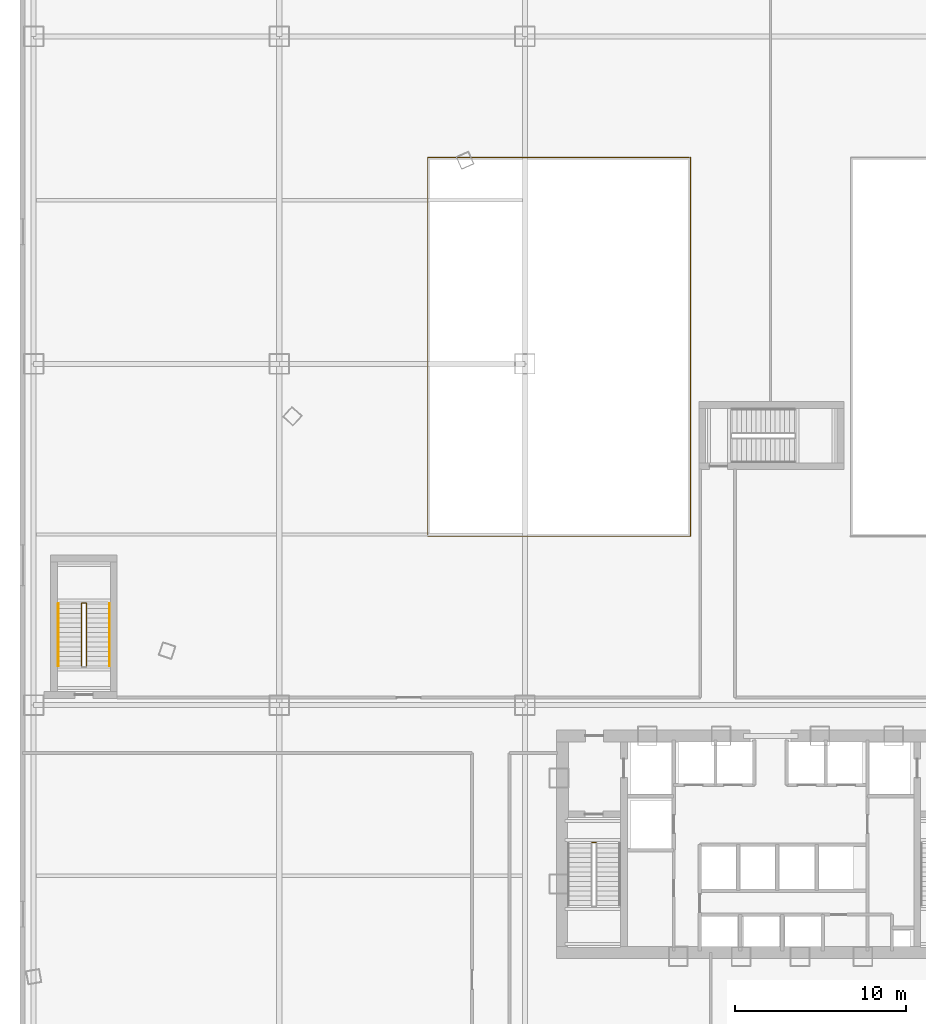
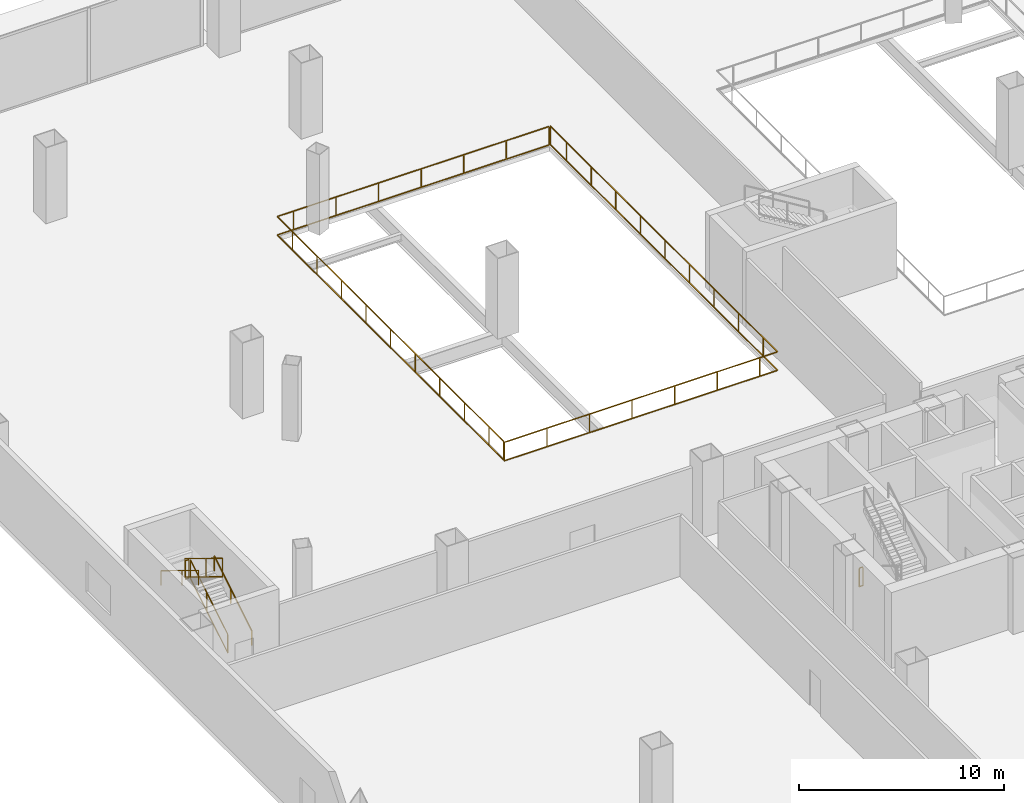
# One storey, part 39 of 42: 8 railings.
"""IFC4 building model written with IfcOpenShell, lengths in metres."""

from ifc_helpers import new_model, si_unit, direction, frame, origin, origin_2d, place, context, subcontext, project, spatial, rectangle, extrude, material, type_object, element, save


model = new_model("IFC4")

# Units and contexts
model_context = context("Model", 3, precision=1e-05, world=origin(), true_north=direction((0.0, 1.0)))
body_context = subcontext(model_context, "Body", "Model", "MODEL_VIEW")
ifc_project = project(units=[si_unit("LENGTHUNIT", "METRE"), si_unit("AREAUNIT", "SQUARE_METRE"), si_unit("VOLUMEUNIT", "CUBIC_METRE"), si_unit("PLANEANGLEUNIT", "RADIAN"), si_unit("MASSUNIT", "GRAM", prefix="KILO"), si_unit("THERMODYNAMICTEMPERATUREUNIT", "KELVIN"), si_unit("POWERUNIT", "WATT")], contexts=[model_context])

# Site, building, storey
site_placement = place(None, origin())
site = spatial("IfcSite", under=ifc_project, at=site_placement, CompositionType="ELEMENT")
building_placement = place(site_placement, origin())
building = spatial("IfcBuilding", under=site, at=building_placement, Name="Yunzhuo Pagoda Commons", CompositionType="ELEMENT")
storey_placement = place(building_placement, frame((0.0, 0.0, 4.800048828125)))
storey = spatial("IfcBuildingStorey", under=building, at=storey_placement, Name="L02", CompositionType="ELEMENT", Elevation=4.800048828125)

# Railings
ifc_material = material(Name="Anodized aluminium 6063-T6", Category="aluminium")
railing_type_1 = type_object("IfcRailingType", Name="GR-PS3 Podium Well Guardrail 1150", PredefinedType="GUARDRAIL", material=ifc_material)
railing_1_placement = place(storey_placement, frame((7.89990234375, 44.300048828125, 0.17138671875)))
element("IfcRailing", 1, at=railing_1_placement, inside=storey, type_object=railing_type_1, Name="L02 PS3 stair guard 1", PredefinedType="GUARDRAIL", context=body_context, shape_type="SweptSolid", body=[
    extrude(rectangle(XDim=0.048095703125, YDim=0.048095703125, at=origin_2d()), frame((0.0, 0.0, 1.1259765625), z_axis=(0.0, 0.852850264322, 0.5221555579), x_axis=(-1.0, 0.0, 0.0)), (0.0, 0.0, 1.0), 4.267822265625),
    extrude(rectangle(XDim=0.048095703125, YDim=0.048095703125, at=origin_2d()), frame((0.0, 0.0, 0.02392578125), z_axis=(0.0, 0.852850264322, 0.5221555579), x_axis=(-1.0, 0.0, 0.0)), (0.0, 0.0, 1.0), 4.267822265625),
    extrude(rectangle(XDim=0.0419921875, YDim=0.0419921875, at=origin_2d()), origin(), (0.0, 0.0, 1.0), 1.101806640625),
    extrude(rectangle(XDim=0.0419921875, YDim=0.0419921875, at=origin_2d()), frame((0.0, 2.046875, 1.253173828125)), (0.0, 0.0, 1.0), 1.101806640625),
    extrude(rectangle(XDim=0.0419921875, YDim=0.0419921875, at=origin_2d()), frame((0.0, 3.639892578125, 2.228515625)), (0.0, 0.0, 1.0), 1.101806640625),
])
railing_2_placement = place(storey_placement, frame((7.85009765625, 47.989990234375, 2.39990234375)))
element("IfcRailing", 2, at=railing_2_placement, inside=storey, type_object=railing_type_1, Name="L02 PS3 stair guard 2", PredefinedType="GUARDRAIL", context=body_context, shape_type="SweptSolid", body=[
    extrude(rectangle(XDim=0.048095703125, YDim=0.048095703125, at=origin_2d()), frame((0.0, 0.0, 1.1259765625), z_axis=(-1.0, 0.0, 0.0), x_axis=(0.0, -1.0, 0.0)), (0.0, 0.0, 1.0), 0.2001953125),
    extrude(rectangle(XDim=0.048095703125, YDim=0.048095703125, at=origin_2d()), frame((0.0, 0.0, 0.02392578125), z_axis=(-1.0, 0.0, 0.0), x_axis=(0.0, -1.0, 0.0)), (0.0, 0.0, 1.0), 0.2001953125),
    extrude(rectangle(XDim=0.0419921875, YDim=0.0419921875, at=origin_2d()), origin(), (0.0, 0.0, 1.0), 1.101806640625),
    extrude(rectangle(XDim=0.0419921875, YDim=0.0419921875, at=origin_2d()), frame((-0.2001953125, 0.0, 0.0)), (0.0, 0.0, 1.0), 1.101806640625),
])
railing_3_placement = place(storey_placement, frame((7.60009765625, 47.93994140625, 2.5712890625)))
element("IfcRailing", 3, at=railing_3_placement, inside=storey, type_object=railing_type_1, Name="L02 PS3 stair guard 3", PredefinedType="GUARDRAIL", context=body_context, shape_type="SweptSolid", body=[
    extrude(rectangle(XDim=0.048095703125, YDim=0.048095703125, at=origin_2d()), frame((0.0, 0.0, 1.1259765625), z_axis=(0.0, -0.852824790078, 0.522197163366), x_axis=(1.0, 0.0, 0.0)), (0.0, 0.0, 1.0), 4.26806640625),
    extrude(rectangle(XDim=0.048095703125, YDim=0.048095703125, at=origin_2d()), frame((0.0, 0.0, 0.02392578125), z_axis=(0.0, -0.852824790078, 0.522197163366), x_axis=(1.0, 0.0, 0.0)), (0.0, 0.0, 1.0), 4.26806640625),
    extrude(rectangle(XDim=0.0419921875, YDim=0.0419921875, at=origin_2d()), origin(), (0.0, 0.0, 1.0), 1.101806640625),
    extrude(rectangle(XDim=0.0419921875, YDim=0.0419921875, at=origin_2d()), frame((0.0, -2.046875, 1.253173828125)), (0.0, 0.0, 1.0), 1.101806640625),
    extrude(rectangle(XDim=0.0419921875, YDim=0.0419921875, at=origin_2d()), frame((0.0, -3.639892578125, 2.228759765625)), (0.0, 0.0, 1.0), 1.101806640625),
])
railing_type_2 = type_object("IfcRailingType", Name="GR-ST1 Stair Well Guardrail 1150", PredefinedType="GUARDRAIL", material=ifc_material)
railing_4_placement = place(storey_placement, frame((37.550048828125, 33.949951171875, 0.0)))
element("IfcRailing", 4, at=railing_4_placement, inside=storey, type_object=railing_type_2, Name="L02 ST1 stair guard 4", PredefinedType="GUARDRAIL", context=body_context, shape_type="SweptSolid", body=[
    extrude(rectangle(XDim=0.048095703125, YDim=0.048095703125, at=origin_2d()), frame((0.0, 0.0, 1.1259765625), z_axis=(1.0, 0.0, 0.0), x_axis=(0.0, 1.0, 0.0)), (0.0, 0.0, 1.0), 0.199951171875),
    extrude(rectangle(XDim=0.048095703125, YDim=0.048095703125, at=origin_2d()), frame((0.0, 0.0, 0.02392578125), z_axis=(1.0, 0.0, 0.0), x_axis=(0.0, 1.0, 0.0)), (0.0, 0.0, 1.0), 0.199951171875),
    extrude(rectangle(XDim=0.0419921875, YDim=0.0419921875, at=origin_2d()), origin(), (0.0, 0.0, 1.0), 1.101806640625),
    extrude(rectangle(XDim=0.0419921875, YDim=0.0419921875, at=origin_2d()), frame((0.199951171875, 0.0, 0.0)), (0.0, 0.0, 1.0), 1.101806640625),
])
railing_type_3 = type_object("IfcRailingType", Name="HR-PS3 Podium Stair Handrail 900", PredefinedType="HANDRAIL", material=ifc_material)
railing_5_placement = place(storey_placement, frame((9.25, 44.300048828125, 0.17138671875)))
element("IfcRailing", 5, at=railing_5_placement, inside=storey, type_object=railing_type_3, Name="L02 PS3 stair handrail 1", PredefinedType="HANDRAIL", context=body_context, shape_type="SweptSolid", body=[
    extrude(rectangle(XDim=0.048095703125, YDim=0.048095703125, at=origin_2d()), frame((0.0, 0.0, 0.8759765625), z_axis=(0.0, 0.852850264322, 0.5221555579), x_axis=(-1.0, 0.0, 0.0)), (0.0, 0.0, 1.0), 4.267822265625),
    extrude(rectangle(XDim=0.0419921875, YDim=0.0419921875, at=origin_2d()), origin(), (0.0, 0.0, 1.0), 0.851806640625),
    extrude(rectangle(XDim=0.0419921875, YDim=0.0419921875, at=origin_2d()), frame((0.0, 2.046875, 1.253173828125)), (0.0, 0.0, 1.0), 0.851806640625),
    extrude(rectangle(XDim=0.0419921875, YDim=0.0419921875, at=origin_2d()), frame((0.0, 3.639892578125, 2.228515625)), (0.0, 0.0, 1.0), 0.851806640625),
])
railing_6_placement = place(storey_placement, frame((6.25, 47.93994140625, 2.5712890625)))
element("IfcRailing", 6, at=railing_6_placement, inside=storey, type_object=railing_type_3, Name="L02 PS3 stair handrail 2", PredefinedType="HANDRAIL", context=body_context, shape_type="SweptSolid", body=[
    extrude(rectangle(XDim=0.048095703125, YDim=0.048095703125, at=origin_2d()), frame((0.0, 0.0, 0.8759765625), z_axis=(0.0, -0.852824790078, 0.522197163366), x_axis=(1.0, 0.0, 0.0)), (0.0, 0.0, 1.0), 4.26806640625),
    extrude(rectangle(XDim=0.0419921875, YDim=0.0419921875, at=origin_2d()), origin(), (0.0, 0.0, 1.0), 0.851806640625),
    extrude(rectangle(XDim=0.0419921875, YDim=0.0419921875, at=origin_2d()), frame((0.0, -2.046875, 1.253173828125)), (0.0, 0.0, 1.0), 0.851806640625),
    extrude(rectangle(XDim=0.0419921875, YDim=0.0419921875, at=origin_2d()), frame((0.0, -3.639892578125, 2.228759765625)), (0.0, 0.0, 1.0), 0.851806640625),
])
railing_type_4 = type_object("IfcRailingType", Name="RL-ATR1 Interior Atrium Gallery Balustrade 1150", PredefinedType="BALUSTRADE", material=ifc_material)
railing_7_placement = place(storey_placement, frame((27.89990234375, 51.89990234375, 0.0)))
element("IfcRailing", 7, at=railing_7_placement, inside=storey, type_object=railing_type_4, Name="L02 concourse atrium balustrade WA", PredefinedType="BALUSTRADE", context=body_context, shape_type="SweptSolid", body=[
    extrude(rectangle(XDim=0.048095703125, YDim=0.048095703125, at=origin_2d()), frame((0.0, 0.0, 1.1259765625), z_axis=(1.0, 0.0, 0.0), x_axis=(0.0, 1.0, 0.0)), (0.0, 0.0, 1.0), 15.400146484375),
    extrude(rectangle(XDim=0.048095703125, YDim=0.048095703125, at=origin_2d()), frame((0.0, 0.0, 0.02392578125), z_axis=(1.0, 0.0, 0.0), x_axis=(0.0, 1.0, 0.0)), (0.0, 0.0, 1.0), 15.400146484375),
    extrude(rectangle(XDim=0.048095703125, YDim=0.048095703125, at=origin_2d()), frame((15.400146484375, 0.0, 1.1259765625), z_axis=(0.0, 1.0, 0.0), x_axis=(-1.0, 0.0, 0.0)), (0.0, 0.0, 1.0), 22.2001953125),
    extrude(rectangle(XDim=0.048095703125, YDim=0.048095703125, at=origin_2d()), frame((15.400146484375, 0.0, 0.02392578125), z_axis=(0.0, 1.0, 0.0), x_axis=(-1.0, 0.0, 0.0)), (0.0, 0.0, 1.0), 22.2001953125),
    extrude(rectangle(XDim=0.0419921875, YDim=0.0419921875, at=origin_2d()), origin(), (0.0, 0.0, 1.0), 1.101806640625),
    extrude(rectangle(XDim=0.0419921875, YDim=0.0419921875, at=origin_2d()), frame((2.39990234375, 0.0, 0.0)), (0.0, 0.0, 1.0), 1.101806640625),
    extrude(rectangle(XDim=0.0419921875, YDim=0.0419921875, at=origin_2d()), frame((4.800048828125, 0.0, 0.0)), (0.0, 0.0, 1.0), 1.101806640625),
    extrude(rectangle(XDim=0.0419921875, YDim=0.0419921875, at=origin_2d()), frame((7.199951171875, 0.0, 0.0)), (0.0, 0.0, 1.0), 1.101806640625),
    extrude(rectangle(XDim=0.0419921875, YDim=0.0419921875, at=origin_2d()), frame((9.60009765625, 0.0, 0.0)), (0.0, 0.0, 1.0), 1.101806640625),
    extrude(rectangle(XDim=0.0419921875, YDim=0.0419921875, at=origin_2d()), frame((12.0, 0.0, 0.0)), (0.0, 0.0, 1.0), 1.101806640625),
    extrude(rectangle(XDim=0.0419921875, YDim=0.0419921875, at=origin_2d()), frame((14.39990234375, 0.0, 0.0)), (0.0, 0.0, 1.0), 1.101806640625),
    extrude(rectangle(XDim=0.0419921875, YDim=0.0419921875, at=origin_2d()), frame((15.400146484375, 1.39990234375, 0.0)), (0.0, 0.0, 1.0), 1.101806640625),
    extrude(rectangle(XDim=0.0419921875, YDim=0.0419921875, at=origin_2d()), frame((15.400146484375, 3.7998046875, 0.0)), (0.0, 0.0, 1.0), 1.101806640625),
    extrude(rectangle(XDim=0.0419921875, YDim=0.0419921875, at=origin_2d()), frame((15.400146484375, 6.199951171875, 0.0)), (0.0, 0.0, 1.0), 1.101806640625),
    extrude(rectangle(XDim=0.0419921875, YDim=0.0419921875, at=origin_2d()), frame((15.400146484375, 8.599853515625, 0.0)), (0.0, 0.0, 1.0), 1.101806640625),
    extrude(rectangle(XDim=0.0419921875, YDim=0.0419921875, at=origin_2d()), frame((15.400146484375, 10.999755859375, 0.0)), (0.0, 0.0, 1.0), 1.101806640625),
    extrude(rectangle(XDim=0.0419921875, YDim=0.0419921875, at=origin_2d()), frame((15.400146484375, 13.39990234375, 0.0)), (0.0, 0.0, 1.0), 1.101806640625),
    extrude(rectangle(XDim=0.0419921875, YDim=0.0419921875, at=origin_2d()), frame((15.400146484375, 15.7998046875, 0.0)), (0.0, 0.0, 1.0), 1.101806640625),
    extrude(rectangle(XDim=0.0419921875, YDim=0.0419921875, at=origin_2d()), frame((15.400146484375, 18.199951171875, 0.0)), (0.0, 0.0, 1.0), 1.101806640625),
    extrude(rectangle(XDim=0.0419921875, YDim=0.0419921875, at=origin_2d()), frame((15.400146484375, 20.599853515625, 0.0)), (0.0, 0.0, 1.0), 1.101806640625),
    extrude(rectangle(XDim=0.0419921875, YDim=0.0419921875, at=origin_2d()), frame((15.400146484375, 22.2001953125, 0.0)), (0.0, 0.0, 1.0), 1.101806640625),
])
railing_8_placement = place(storey_placement, frame((43.219970703125, 74.10009765625, 0.0)))
element("IfcRailing", 8, at=railing_8_placement, inside=storey, type_object=railing_type_4, Name="L02 concourse atrium balustrade WB", PredefinedType="BALUSTRADE", context=body_context, shape_type="SweptSolid", body=[
    extrude(rectangle(XDim=0.048095703125, YDim=0.048095703125, at=origin_2d()), frame((0.0, 0.0, 1.1259765625), z_axis=(-1.0, 0.0, 0.0), x_axis=(0.0, -1.0, 0.0)), (0.0, 0.0, 1.0), 15.320068359375),
    extrude(rectangle(XDim=0.048095703125, YDim=0.048095703125, at=origin_2d()), frame((0.0, 0.0, 0.02392578125), z_axis=(-1.0, 0.0, 0.0), x_axis=(0.0, -1.0, 0.0)), (0.0, 0.0, 1.0), 15.320068359375),
    extrude(rectangle(XDim=0.048095703125, YDim=0.048095703125, at=origin_2d()), frame((-15.320068359375, 0.0, 1.1259765625), z_axis=(0.0, -1.0, 0.0), x_axis=(1.0, 0.0, 0.0)), (0.0, 0.0, 1.0), 22.1201171875),
    extrude(rectangle(XDim=0.048095703125, YDim=0.048095703125, at=origin_2d()), frame((-15.320068359375, 0.0, 0.02392578125), z_axis=(0.0, -1.0, 0.0), x_axis=(1.0, 0.0, 0.0)), (0.0, 0.0, 1.0), 22.1201171875),
    extrude(rectangle(XDim=0.0419921875, YDim=0.0419921875, at=origin_2d()), origin(), (0.0, 0.0, 1.0), 1.101806640625),
    extrude(rectangle(XDim=0.0419921875, YDim=0.0419921875, at=origin_2d()), frame((-2.39990234375, 0.0, 0.0)), (0.0, 0.0, 1.0), 1.101806640625),
    extrude(rectangle(XDim=0.0419921875, YDim=0.0419921875, at=origin_2d()), frame((-4.800048828125, 0.0, 0.0)), (0.0, 0.0, 1.0), 1.101806640625),
    extrude(rectangle(XDim=0.0419921875, YDim=0.0419921875, at=origin_2d()), frame((-7.199951171875, 0.0, 0.0)), (0.0, 0.0, 1.0), 1.101806640625),
    extrude(rectangle(XDim=0.0419921875, YDim=0.0419921875, at=origin_2d()), frame((-9.60009765625, 0.0, 0.0)), (0.0, 0.0, 1.0), 1.101806640625),
    extrude(rectangle(XDim=0.0419921875, YDim=0.0419921875, at=origin_2d()), frame((-12.0, 0.0, 0.0)), (0.0, 0.0, 1.0), 1.101806640625),
    extrude(rectangle(XDim=0.0419921875, YDim=0.0419921875, at=origin_2d()), frame((-14.39990234375, 0.0, 0.0)), (0.0, 0.0, 1.0), 1.101806640625),
    extrude(rectangle(XDim=0.0419921875, YDim=0.0419921875, at=origin_2d()), frame((-15.320068359375, -1.47998046875, 0.0)), (0.0, 0.0, 1.0), 1.101806640625),
    extrude(rectangle(XDim=0.0419921875, YDim=0.0419921875, at=origin_2d()), frame((-15.320068359375, -3.8798828125, 0.0)), (0.0, 0.0, 1.0), 1.101806640625),
    extrude(rectangle(XDim=0.0419921875, YDim=0.0419921875, at=origin_2d()), frame((-15.320068359375, -6.280029296875, 0.0)), (0.0, 0.0, 1.0), 1.101806640625),
    extrude(rectangle(XDim=0.0419921875, YDim=0.0419921875, at=origin_2d()), frame((-15.320068359375, -8.679931640625, 0.0)), (0.0, 0.0, 1.0), 1.101806640625),
    extrude(rectangle(XDim=0.0419921875, YDim=0.0419921875, at=origin_2d()), frame((-15.320068359375, -11.079833984375, 0.0)), (0.0, 0.0, 1.0), 1.101806640625),
    extrude(rectangle(XDim=0.0419921875, YDim=0.0419921875, at=origin_2d()), frame((-15.320068359375, -13.47998046875, 0.0)), (0.0, 0.0, 1.0), 1.101806640625),
    extrude(rectangle(XDim=0.0419921875, YDim=0.0419921875, at=origin_2d()), frame((-15.320068359375, -15.8798828125, 0.0)), (0.0, 0.0, 1.0), 1.101806640625),
    extrude(rectangle(XDim=0.0419921875, YDim=0.0419921875, at=origin_2d()), frame((-15.320068359375, -18.280029296875, 0.0)), (0.0, 0.0, 1.0), 1.101806640625),
    extrude(rectangle(XDim=0.0419921875, YDim=0.0419921875, at=origin_2d()), frame((-15.320068359375, -20.679931640625, 0.0)), (0.0, 0.0, 1.0), 1.101806640625),
    extrude(rectangle(XDim=0.0419921875, YDim=0.0419921875, at=origin_2d()), frame((-15.320068359375, -22.1201171875, 0.0)), (0.0, 0.0, 1.0), 1.101806640625),
])

save(model, "model.ifc")
